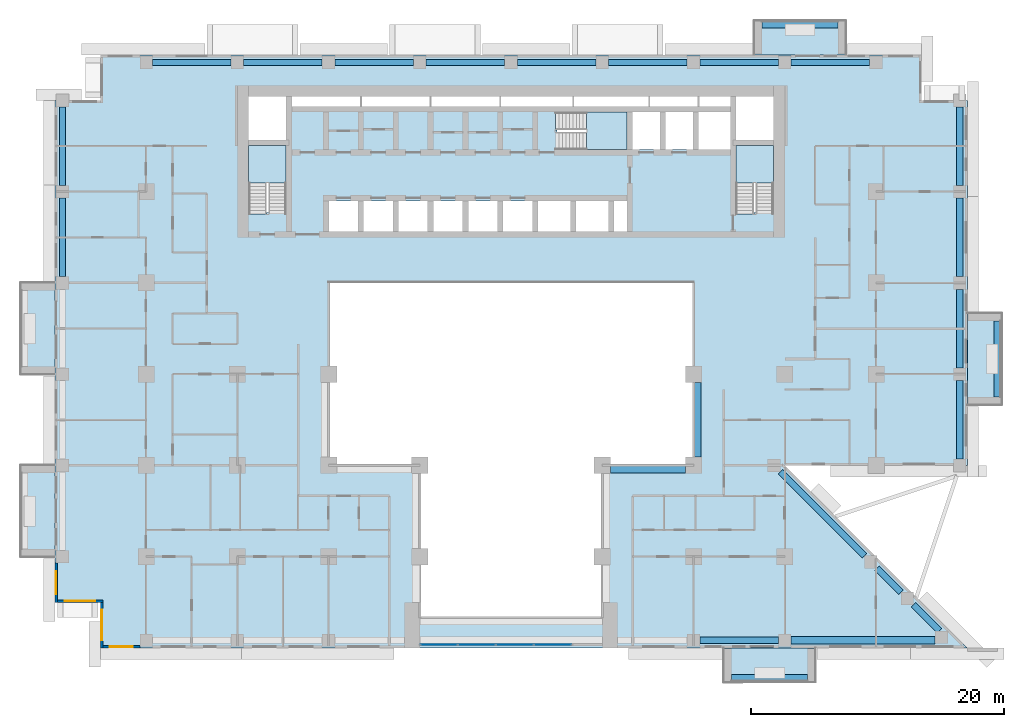
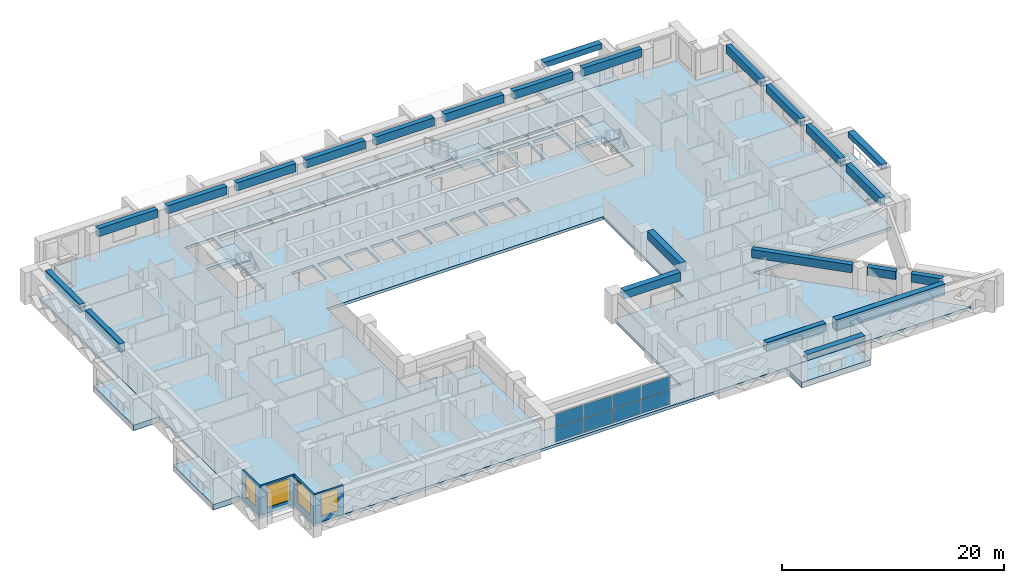
# One storey, part 5 of 16: 24 beams, 9 slabs, 8 plates, 4 walls, 4 windows, 4 openings, 4 elements without a shape of their own.
"""IFC4 building model written with IfcOpenShell, lengths in metres."""

from ifc_helpers import new_model, si_unit, direction, frame, frame_2d, origin, origin_2d, place, context, subcontext, project, spatial, polyline, rectangle, outline, extrude, source, transform, mapped, material, layer, layer_set, material_profile, profile_set, type_object, element, fill, aggregate, save


model = new_model("IFC4")

# Units and contexts
model_context = context("Model", 3, precision=1e-05, world=origin(), true_north=direction((0.0, 1.0)))
body_context = subcontext(model_context, "Body", "Model", "MODEL_VIEW")
ifc_project = project(units=[si_unit("LENGTHUNIT", "METRE"), si_unit("AREAUNIT", "SQUARE_METRE"), si_unit("VOLUMEUNIT", "CUBIC_METRE"), si_unit("PLANEANGLEUNIT", "RADIAN"), si_unit("MASSUNIT", "GRAM", prefix="KILO")], contexts=[model_context])

# Site, building, storey
site_placement = place(None, origin())
site = spatial("IfcSite", under=ifc_project, at=site_placement, CompositionType="ELEMENT")
building_placement = place(site_placement, origin())
building = spatial("IfcBuilding", under=site, at=building_placement, Name="Saffron Iwan Residences", CompositionType="ELEMENT")
storey_placement = place(building_placement, frame((0.0, 0.0, 90.0)))
storey = spatial("IfcBuildingStorey", under=building, at=storey_placement, Name="L23", CompositionType="ELEMENT", Elevation=90.0)

# Beams
ifc_material_1 = material(Name="Concrete C60/75", Category="concrete")
ifc_material_profile_1 = material_profile(ifc_material_1, rectangle(XDim=0.5, YDim=0.89990234375, at=origin_2d()), Name="RC 500x900")
ifc_profile_set_1 = profile_set([ifc_material_profile_1], Name="Concrete C60/75")
beam_type_1 = type_object("IfcBeamType", Name="SPANDREL BEAM RC 500x900 C60/75 TOP 3180", PredefinedType="SPANDREL", material=ifc_profile_set_1)
shared_shape_1 = source(origin(), body_context, "Body", "SweptSolid", [
    extrude(rectangle(XDim=0.5, YDim=0.89990234375, at=origin_2d()), origin(), (0.0, 0.0, 1.0), 6.199951171875),
])
for number, where, z_axis, x_axis, name in (
    (1, (71.5, 34.199951171875, 2.72998046875), (-1.0, 0.0, 0.0), (0.0, -1.0, 0.0), "Spandrel beam"),
    (2, (85.800048828125, 54.699951171875, 2.72998046875), (0.0, -1.0, 0.0), (1.0, 0.0, 0.0), "Spandrel beam"),
    (3, (85.800048828125, 61.89990234375, 2.72998046875), (0.0, -1.0, 0.0), (1.0, 0.0, 0.0), "Spandrel beam"),
    (4, (15.0, 70.10009765625, 2.72998046875), (0.0, 1.0, 0.0), (-1.0, 0.0, 0.0), "Spandrel beam"),
    (5, (85.800048828125, 76.300048828125, 2.72998046875), (0.0, -1.0, 0.0), (1.0, 0.0, 0.0), "Spandrel beam"),
    (6, (22.10009765625, 79.800048828125, 2.72998046875), (1.0, 0.0, 0.0), (0.0, 1.0, 0.0), "Spandrel beam"),
    (7, (29.300048828125, 79.800048828125, 2.72998046875), (1.0, 0.0, 0.0), (0.0, 1.0, 0.0), "Spandrel beam"),
    (8, (36.5, 79.800048828125, 2.72998046875), (1.0, 0.0, 0.0), (0.0, 1.0, 0.0), "Spandrel beam"),
    (9, (43.699951171875, 79.800048828125, 2.72998046875), (1.0, 0.0, 0.0), (0.0, 1.0, 0.0), "Spandrel beam"),
    (10, (58.10009765625, 79.800048828125, 2.72998046875), (1.0, 0.0, 0.0), (0.0, 1.0, 0.0), "Spandrel beam"),
    (11, (65.300048828125, 79.800048828125, 2.72998046875), (1.0, 0.0, 0.0), (0.0, 1.0, 0.0), "Spandrel beam"),
    (12, (72.5, 79.800048828125, 2.72998046875), (1.0, 0.0, 0.0), (0.0, 1.0, 0.0), "Spandrel beam"),
):
    element("IfcBeam", number, at=place(storey_placement, frame(where, z_axis=z_axis, x_axis=x_axis)), inside=storey, type_object=beam_type_1, Name=name, PredefinedType="SPANDREL", context=body_context, shape_type="MappedRepresentation", body=[
        mapped(shared_shape_1, transform((0.0, 0.0, 0.0))),
    ])
shared_shape_2 = source(origin(), body_context, "Body", "SweptSolid", [
    extrude(rectangle(XDim=0.5, YDim=0.89990234375, at=origin_2d()), origin(), (0.0, 0.0, 1.0), 2.90478515625),
])
beam_1_placement = place(storey_placement, frame((82.15576171875, 36.995849609375, 2.72998046875), z_axis=(0.707106781187, -0.707106781187, 0.0), x_axis=(0.707106781187, 0.707106781187, 0.0)))
element("IfcBeam", 13, at=beam_1_placement, inside=storey, type_object=beam_type_1, Name="Spandrel beam", PredefinedType="SPANDREL", context=body_context, shape_type="MappedRepresentation", body=[
    mapped(shared_shape_2, transform((0.0, 0.0, 0.0))),
])
shared_shape_3 = source(origin(), body_context, "Body", "SweptSolid", [
    extrude(rectangle(XDim=0.5, YDim=0.89990234375, at=origin_2d()), origin(), (0.0, 0.0, 1.0), 2.658935546875),
])
beam_2_placement = place(storey_placement, frame((79.275634765625, 39.875732421875, 2.72998046875), z_axis=(0.707106781187, -0.707106781187, 0.0), x_axis=(0.707106781187, 0.707106781187, 0.0)))
element("IfcBeam", 14, at=beam_2_placement, inside=storey, type_object=beam_type_1, Name="Spandrel beam", PredefinedType="SPANDREL", context=body_context, shape_type="MappedRepresentation", body=[
    mapped(shared_shape_3, transform((0.0, 0.0, 0.0))),
])
shared_shape_4 = source(origin(), body_context, "Body", "SweptSolid", [
    extrude(rectangle(XDim=0.5, YDim=0.89990234375, at=origin_2d()), origin(), (0.0, 0.0, 1.0), 9.370361328125),
])
beam_3_placement = place(storey_placement, frame((71.64990234375, 47.50146484375, 2.72998046875), z_axis=(0.707119808329, -0.707093753804, 0.0), x_axis=(0.707093753804, 0.707119808329, 0.0)))
element("IfcBeam", 15, at=beam_3_placement, inside=storey, type_object=beam_type_1, Name="Spandrel beam", PredefinedType="SPANDREL", context=body_context, shape_type="MappedRepresentation", body=[
    mapped(shared_shape_4, transform((0.0, 0.0, 0.0))),
])
shared_shape_5 = source(origin(), body_context, "Body", "SweptSolid", [
    extrude(rectangle(XDim=0.5, YDim=0.89990234375, at=origin_2d()), origin(), (0.0, 0.0, 1.0), 6.2001953125),
])
for number, where, z_axis, x_axis, name in (
    (16, (15.0, 62.89990234375, 2.72998046875), (0.0, 1.0, 0.0), (-1.0, 0.0, 0.0), "Spandrel beam"),
    (17, (85.800048828125, 69.10009765625, 2.72998046875), (0.0, -1.0, 0.0), (1.0, 0.0, 0.0), "Spandrel beam"),
    (18, (50.89990234375, 79.800048828125, 2.72998046875), (1.0, 0.0, 0.0), (0.0, 1.0, 0.0), "Spandrel beam"),
):
    element("IfcBeam", number, at=place(storey_placement, frame(where, z_axis=z_axis, x_axis=x_axis)), inside=storey, type_object=beam_type_1, Name=name, PredefinedType="SPANDREL", context=body_context, shape_type="MappedRepresentation", body=[
        mapped(shared_shape_5, transform((0.0, 0.0, 0.0))),
    ])
ifc_material_profile_2 = material_profile(ifc_material_1, rectangle(XDim=0.60009765625, YDim=1.199951171875, at=origin_2d()), Name="RC 600x1200")
ifc_profile_set_2 = profile_set([ifc_material_profile_2], Name="Concrete C60/75")
beam_type_2 = type_object("IfcBeamType", Name="LINTEL BEAM RC 600x1200 C60/75 TOP 3180", PredefinedType="LINTEL", material=ifc_profile_set_2)
shared_shape_6 = source(origin(), body_context, "Body", "SweptSolid", [
    extrude(rectangle(XDim=0.60009765625, YDim=1.199951171875, at=origin_2d()), origin(), (0.0, 0.0, 1.0), 11.367431640625),
])
beam_4_placement = place(storey_placement, frame((83.867431640625, 34.199951171875, 2.580078125), z_axis=(-1.0, 0.0, 0.0), x_axis=(0.0, -1.0, 0.0)))
element("IfcBeam", 19, at=beam_4_placement, inside=storey, type_object=beam_type_2, Name="Lintel beam over the iwan", PredefinedType="LINTEL", context=body_context, shape_type="MappedRepresentation", body=[
    mapped(shared_shape_6, transform((0.0, 0.0, 0.0))),
])
ifc_material_profile_3 = material_profile(ifc_material_1, rectangle(XDim=0.60009765625, YDim=0.89990234375, at=origin_2d()), Name="RC 600x900")
ifc_profile_set_3 = profile_set([ifc_material_profile_3], Name="Concrete C60/75")
beam_type_3 = type_object("IfcBeamType", Name="BEAM RC 600x900 C60/75 TOP 3180", PredefinedType="BEAM", material=ifc_profile_set_3)
shared_shape_7 = source(origin(), body_context, "Body", "SweptSolid", [
    extrude(rectangle(XDim=0.60009765625, YDim=0.89990234375, at=origin_2d()), origin(), (0.0, 0.0, 1.0), 5.900146484375),
])
beam_5_placement = place(storey_placement, frame((65.10009765625, 54.550048828125, 2.72998046875), z_axis=(0.0, -1.0, 0.0), x_axis=(1.0, 0.0, 0.0)))
element("IfcBeam", 20, at=beam_5_placement, inside=storey, type_object=beam_type_3, Name="Atrium edge beam", PredefinedType="BEAM", context=body_context, shape_type="MappedRepresentation", body=[
    mapped(shared_shape_7, transform((0.0, 0.0, 0.0))),
])
shared_shape_8 = source(origin(), body_context, "Body", "SweptSolid", [
    extrude(rectangle(XDim=0.60009765625, YDim=0.89990234375, at=origin_2d()), origin(), (0.0, 0.0, 1.0), 5.89990234375),
])
beam_6_placement = place(storey_placement, frame((64.14990234375, 47.699951171875, 2.72998046875), z_axis=(-1.0, 0.0, 0.0), x_axis=(0.0, -1.0, 0.0)))
element("IfcBeam", 21, at=beam_6_placement, inside=storey, type_object=beam_type_3, Name="Atrium edge beam", PredefinedType="BEAM", context=body_context, shape_type="MappedRepresentation", body=[
    mapped(shared_shape_8, transform((0.0, 0.0, 0.0))),
])
ifc_material_2 = material(Name="Concrete C50/60 white painted", Category="concrete")
ifc_material_profile_4 = material_profile(ifc_material_2, rectangle(XDim=0.60009765625, YDim=0.60009765625, at=origin_2d()), Name="BALCONY FASCIA BEAM 600 x 600")
ifc_profile_set_4 = profile_set([ifc_material_profile_4], Name="Concrete C50/60 white painted")
beam_type_4 = type_object("IfcBeamType", Name="BALCONY FASCIA BEAM 600 x 600", PredefinedType="BEAM", material=ifc_profile_set_4)
shared_shape_9 = source(origin(), body_context, "Body", "SweptSolid", [
    extrude(rectangle(XDim=0.60009765625, YDim=0.60009765625, at=origin_2d()), origin(), (0.0, 0.0, 1.0), 6.0),
])
for number, where, z_axis, x_axis, name in (
    (22, (88.800048828125, 53.39990234375, 2.550048828125), (0.0, 1.0, 0.0), (-1.0, 0.0, 0.0), "Balcony fascia beam L23 F2-0"),
    (23, (76.199951171875, 82.800048828125, 2.550048828125), (-1.0, 0.0, 0.0), (0.0, -1.0, 0.0), "Balcony fascia beam L23 F5-0"),
    (24, (67.800048828125, 31.199951171875, 2.550048828125), (1.0, 0.0, 0.0), (0.0, 1.0, 0.0), "Balcony fascia beam L23 11-1"),
):
    element("IfcBeam", number, at=place(storey_placement, frame(where, z_axis=z_axis, x_axis=x_axis)), inside=storey, type_object=beam_type_4, Name=name, PredefinedType="BEAM", context=body_context, shape_type="MappedRepresentation", body=[
        mapped(shared_shape_9, transform((0.0, 0.0, 0.0))),
    ])

# Slabs
ifc_layer_1 = layer(ifc_material_2, 0.60009765625)
ifc_layer_set_1 = layer_set([ifc_layer_1], Name="Concrete C50/60 white painted")
slab_type_1 = type_object("IfcSlabType", Name="BALCONY FRAME SLAB 600", PredefinedType="FLOOR", material=ifc_layer_set_1)
slab_1_placement = place(storey_placement, frame((0.0, 0.0, -0.60009765625)))
element("IfcSlab", 25, at=slab_1_placement, inside=storey, type_object=slab_type_1, Name="Balcony frame slab L23 F2-0", PredefinedType="FLOOR", context=body_context, shape_type="SweptSolid", body=[
    extrude(outline(polyline([(89.10009765625, 52.800048828125), (89.10009765625, 60.0), (86.39990234375, 60.0), (86.39990234375, 52.800048828125), (89.10009765625, 52.800048828125)])), origin(), (0.0, 0.0, 1.0), 0.60009765625),
])
slab_2_placement = place(storey_placement, frame((0.0, 0.0, -0.60009765625)))
element("IfcSlab", 26, at=slab_2_placement, inside=storey, type_object=slab_type_1, Name="Balcony frame slab L23 F5-0", PredefinedType="FLOOR", context=body_context, shape_type="SweptSolid", body=[
    extrude(outline(polyline([(76.800048828125, 83.10009765625), (69.60009765625, 83.10009765625), (69.60009765625, 80.39990234375), (76.800048828125, 80.39990234375), (76.800048828125, 83.10009765625)])), origin(), (0.0, 0.0, 1.0), 0.60009765625),
])
slab_3_placement = place(storey_placement, frame((0.0, 0.0, -0.60009765625)))
element("IfcSlab", 27, at=slab_3_placement, inside=storey, type_object=slab_type_1, Name="Balcony frame slab L23 F8-0", PredefinedType="FLOOR", context=body_context, shape_type="SweptSolid", body=[
    extrude(outline(polyline([(11.699951171875, 62.39990234375), (11.699951171875, 55.199951171875), (14.39990234375, 55.199951171875), (14.39990234375, 62.39990234375), (11.699951171875, 62.39990234375)])), origin(), (0.0, 0.0, 1.0), 0.60009765625),
])
slab_4_placement = place(storey_placement, frame((0.0, 0.0, -0.60009765625)))
element("IfcSlab", 28, at=slab_4_placement, inside=storey, type_object=slab_type_1, Name="Balcony frame slab L23 F8-1", PredefinedType="FLOOR", context=body_context, shape_type="SweptSolid", body=[
    extrude(outline(polyline([(11.699951171875, 48.0), (11.699951171875, 40.800048828125), (14.39990234375, 40.800048828125), (14.39990234375, 48.0), (11.699951171875, 48.0)])), origin(), (0.0, 0.0, 1.0), 0.60009765625),
])
slab_5_placement = place(storey_placement, frame((0.0, 0.0, -0.60009765625)))
element("IfcSlab", 29, at=slab_5_placement, inside=storey, type_object=slab_type_1, Name="Balcony frame slab L23 11-1", PredefinedType="FLOOR", context=body_context, shape_type="SweptSolid", body=[
    extrude(outline(polyline([(67.199951171875, 30.89990234375), (74.39990234375, 30.89990234375), (74.39990234375, 33.60009765625), (67.199951171875, 33.60009765625), (67.199951171875, 30.89990234375)])), origin(), (0.0, 0.0, 1.0), 0.60009765625),
])
ifc_material_3 = material(Name="Concrete C40/50", Category="concrete")
ifc_layer_2 = layer(ifc_material_3, 0.320068359375)
ifc_layer_set_2 = layer_set([ifc_layer_2], Name="Concrete C40/50")
slab_type_2 = type_object("IfcSlabType", Name="PT PLATE 320 C40/50", PredefinedType="FLOOR", material=ifc_layer_set_2)
slab_6_placement = place(storey_placement, frame((0.0, 0.0, -0.320068359375)))
element("IfcSlab", 30, at=slab_6_placement, inside=storey, type_object=slab_type_2, Name="Floor slab L23", PredefinedType="FLOOR", context=body_context, shape_type="SweptSolid", body=[
    extrude(outline(polyline([(14.39990234375, 37.199951171875), (14.39990234375, 76.800048828125), (18.0, 76.800048828125), (18.0, 80.39990234375), (82.800048828125, 80.39990234375), (82.800048828125, 76.800048828125), (86.39990234375, 76.800048828125), (86.39990234375, 48.0), (72.0, 48.0), (86.39990234375, 33.60009765625), (18.0, 33.60009765625), (18.0, 37.199951171875), (14.39990234375, 37.199951171875)]), holes=[polyline([(64.800048828125, 48.0), (64.800048828125, 62.39990234375), (36.0, 62.39990234375), (36.0, 48.0), (43.199951171875, 48.0), (43.199951171875, 36.0), (57.60009765625, 36.0), (57.60009765625, 48.0), (64.800048828125, 48.0)]), polyline([(38.324951171875, 68.875), (36.02490234375, 68.875), (36.02490234375, 66.449951171875), (38.324951171875, 66.449951171875), (38.324951171875, 68.875)]), polyline([(41.074951171875, 66.449951171875), (41.074951171875, 68.875), (38.77490234375, 68.875), (38.77490234375, 66.449951171875), (41.074951171875, 66.449951171875)]), polyline([(43.824951171875, 66.449951171875), (43.824951171875, 68.875), (41.52490234375, 68.875), (41.52490234375, 66.449951171875), (43.824951171875, 66.449951171875)]), polyline([(46.574951171875, 68.875), (44.27490234375, 68.875), (44.27490234375, 66.449951171875), (46.574951171875, 66.449951171875), (46.574951171875, 68.875)]), polyline([(49.324951171875, 66.449951171875), (49.324951171875, 68.875), (47.02490234375, 68.875), (47.02490234375, 66.449951171875), (49.324951171875, 66.449951171875)]), polyline([(52.074951171875, 66.449951171875), (52.074951171875, 68.875), (49.77490234375, 68.875), (49.77490234375, 66.449951171875), (52.074951171875, 66.449951171875)]), polyline([(29.699951171875, 73.25), (29.699951171875, 67.949951171875), (29.699951171875, 67.8505859375), (31.10009765625, 67.8505859375), (31.10009765625, 67.949951171875), (32.64990234375, 67.949951171875), (32.64990234375, 73.25), (29.699951171875, 73.25)]), polyline([(32.64990234375, 73.699951171875), (32.64990234375, 77.10009765625), (29.699951171875, 77.10009765625), (29.699951171875, 73.699951171875), (32.64990234375, 73.699951171875)]), polyline([(38.5, 76.324951171875), (38.5, 77.10009765625), (33.10009765625, 77.10009765625), (33.10009765625, 76.324951171875), (38.5, 76.324951171875)]), polyline([(44.0, 77.10009765625), (38.60009765625, 77.10009765625), (38.60009765625, 76.324951171875), (44.0, 76.324951171875), (44.0, 77.10009765625)]), polyline([(49.5, 76.324951171875), (49.5, 77.10009765625), (44.10009765625, 77.10009765625), (44.10009765625, 76.324951171875), (49.5, 76.324951171875)]), polyline([(55.25, 76.324951171875), (55.25, 77.10009765625), (49.60009765625, 77.10009765625), (49.60009765625, 76.324951171875), (55.25, 76.324951171875)]), polyline([(55.074951171875, 68.875), (52.52490234375, 68.875), (52.52490234375, 66.449951171875), (55.074951171875, 66.449951171875), (55.074951171875, 68.875)]), polyline([(58.074951171875, 66.449951171875), (58.074951171875, 68.875), (55.52490234375, 68.875), (55.52490234375, 66.449951171875), (58.074951171875, 66.449951171875)]), polyline([(59.550048828125, 66.449951171875), (59.550048828125, 68.875), (58.52490234375, 68.875), (58.52490234375, 66.449951171875), (59.550048828125, 66.449951171875)]), polyline([(68.14990234375, 73.25), (68.14990234375, 67.949951171875), (68.14990234375, 67.8505859375), (69.550048828125, 67.8505859375), (69.550048828125, 67.949951171875), (71.10009765625, 67.949951171875), (71.10009765625, 73.25), (68.14990234375, 73.25)]), polyline([(53.925537109375, 74.47509765625), (54.02490234375, 74.47509765625), (54.02490234375, 72.925048828125), (59.550048828125, 72.925048828125), (59.550048828125, 75.875), (54.02490234375, 75.875), (53.925537109375, 75.875), (53.925537109375, 74.47509765625)]), polyline([(62.14990234375, 72.925048828125), (62.14990234375, 75.875), (60.0, 75.875), (60.0, 72.925048828125), (62.14990234375, 72.925048828125)]), polyline([(64.75, 75.875), (62.60009765625, 75.875), (62.60009765625, 72.925048828125), (64.75, 72.925048828125), (64.75, 75.875)]), polyline([(67.699951171875, 72.925048828125), (67.699951171875, 75.875), (65.199951171875, 75.875), (65.199951171875, 72.925048828125), (67.699951171875, 72.925048828125)]), polyline([(71.10009765625, 73.699951171875), (71.10009765625, 77.10009765625), (68.14990234375, 77.10009765625), (68.14990234375, 73.699951171875), (71.10009765625, 73.699951171875)]), polyline([(61.25, 77.10009765625), (55.35009765625, 77.10009765625), (55.35009765625, 76.324951171875), (61.25, 76.324951171875), (61.25, 77.10009765625)]), polyline([(65.14990234375, 76.324951171875), (65.14990234375, 77.10009765625), (61.35009765625, 77.10009765625), (61.35009765625, 76.324951171875), (65.14990234375, 76.324951171875)]), polyline([(67.699951171875, 76.324951171875), (67.699951171875, 77.10009765625), (65.25, 77.10009765625), (65.25, 76.324951171875), (67.699951171875, 76.324951171875)])]), origin(), (0.0, 0.0, 1.0), 0.320068359375),
])

# Stair, slab
ifc_material_4 = material(Name="Concrete C50/60", Category="concrete")
stair_type = type_object("IfcStairType", Name="Stair ST-CORE", PredefinedType="HALF_TURN_STAIR", material=ifc_material_4)
stair_1_placement = place(storey_placement, origin())
stair_1 = element("IfcStair", 31, at=stair_1_placement, inside=storey, type_object=stair_type, Name="L23 Exit Stair ST-W", PredefinedType="HALF_TURN_STAIR")
ifc_layer_3 = layer(ifc_material_4, 0.199951171875)
ifc_layer_set_3 = layer_set([ifc_layer_3], Name="Concrete C50/60")
slab_type_3 = type_object("IfcSlabType", Name="Stair landing SL-RC", PredefinedType="LANDING", material=ifc_layer_set_3)
slab_7_placement = place(storey_placement, frame((0.0, 0.0, 1.5498046875)))
slab_7 = element("IfcSlab", 32, at=slab_7_placement, type_object=slab_type_3, Name="ST-W landing 1", PredefinedType="LANDING", context=body_context, shape_type="SweptSolid", body=[
    extrude(outline(polyline([(32.64990234375, 70.280029296875), (32.64990234375, 73.25), (29.699951171875, 73.25), (29.699951171875, 70.280029296875), (32.64990234375, 70.280029296875)])), origin(), (0.0, 0.0, 1.0), 0.2001953125),
])
aggregate(stair_1, [slab_7])

stair_2_placement = place(storey_placement, origin())
stair_2 = element("IfcStair", 33, at=stair_2_placement, inside=storey, type_object=stair_type, Name="L23 Exit Stair ST-C", PredefinedType="HALF_TURN_STAIR")
slab_8_placement = place(storey_placement, frame((0.0, 0.0, 1.5498046875)))
slab_8 = element("IfcSlab", 34, at=slab_8_placement, type_object=slab_type_3, Name="ST-C landing 1", PredefinedType="LANDING", context=body_context, shape_type="SweptSolid", body=[
    extrude(outline(polyline([(56.35498046875, 72.925048828125), (59.550048828125, 72.925048828125), (59.550048828125, 75.875), (56.35498046875, 75.875), (56.35498046875, 72.925048828125)])), origin(), (0.0, 0.0, 1.0), 0.2001953125),
])
aggregate(stair_2, [slab_8])

stair_3_placement = place(storey_placement, origin())
stair_3 = element("IfcStair", 35, at=stair_3_placement, inside=storey, type_object=stair_type, Name="L23 Exit Stair ST-E", PredefinedType="HALF_TURN_STAIR")
slab_9_placement = place(storey_placement, frame((0.0, 0.0, 1.5498046875)))
slab_9 = element("IfcSlab", 36, at=slab_9_placement, type_object=slab_type_3, Name="ST-E landing 1", PredefinedType="LANDING", context=body_context, shape_type="SweptSolid", body=[
    extrude(outline(polyline([(71.10009765625, 70.280029296875), (71.10009765625, 73.25), (68.14990234375, 73.25), (68.14990234375, 70.280029296875), (71.10009765625, 70.280029296875)])), origin(), (0.0, 0.0, 1.0), 0.2001953125),
])
aggregate(stair_3, [slab_9])

# Curtain wall, plates
ifc_material_5 = material(Name="Clear glass, laminated double glazed", Category="glass")
ifc_layer_4 = layer(ifc_material_5, 0.199951171875)
ifc_layer_set_4 = layer_set([ifc_layer_4], Name="Clear glass, laminated double glazed")
curtain_wall_type = type_object("IfcCurtainWallType", Name="CW-B IWAN PORTAL", PredefinedType="NOTDEFINED", material=ifc_layer_set_4)
curtain_wall_placement = place(storey_placement, origin())
curtain_wall = element("IfcCurtainWall", 37, at=curtain_wall_placement, inside=storey, type_object=curtain_wall_type, Name="Iwan portal glazing L23.1", PredefinedType="NOTDEFINED")
ifc_layer_5 = layer(ifc_material_5, 0.028076171875)
ifc_layer_set_5 = layer_set([ifc_layer_5], Name="Clear glass, laminated double glazed")
plate_type = type_object("IfcPlateType", Name="CW-B PANEL 28", PredefinedType="CURTAIN_PANEL", material=ifc_layer_set_5)
shared_shape_10 = source(origin(), body_context, "Body", "SweptSolid", [
    extrude(rectangle(XDim=2.909912109375, YDim=0.028076171875, at=origin_2d()), origin(), (0.0, 0.0, 1.0), 1.5),
])
plate_1_placement = place(storey_placement, frame((44.715087890625, 33.85009765625, 0.06005859375), z_axis=(0.0, 0.0, 1.0), x_axis=(1.0, 0.0, 0.0)))
plate_1 = element("IfcPlate", 38, at=plate_1_placement, type_object=plate_type, Name="CW-B panel 1.1", PredefinedType="CURTAIN_PANEL", context=body_context, shape_type="MappedRepresentation", body=[
    mapped(shared_shape_10, transform((0.0, 0.0, 0.0))),
])
plate_2_placement = place(storey_placement, frame((44.715087890625, 33.85009765625, 1.6201171875), z_axis=(0.0, 0.0, 1.0), x_axis=(1.0, 0.0, 0.0)))
plate_2 = element("IfcPlate", 39, at=plate_2_placement, type_object=plate_type, Name="CW-B panel 1.2", PredefinedType="CURTAIN_PANEL", context=body_context, shape_type="MappedRepresentation", body=[
    mapped(shared_shape_10, transform((0.0, 0.0, 0.0))),
])
plate_3_placement = place(storey_placement, frame((53.68505859375, 33.85009765625, 0.06005859375), z_axis=(0.0, 0.0, 1.0), x_axis=(1.0, 0.0, 0.0)))
plate_3 = element("IfcPlate", 40, at=plate_3_placement, type_object=plate_type, Name="CW-B panel 4.1", PredefinedType="CURTAIN_PANEL", context=body_context, shape_type="MappedRepresentation", body=[
    mapped(shared_shape_10, transform((0.0, 0.0, 0.0))),
])
plate_4_placement = place(storey_placement, frame((53.68505859375, 33.85009765625, 1.6201171875), z_axis=(0.0, 0.0, 1.0), x_axis=(1.0, 0.0, 0.0)))
plate_4 = element("IfcPlate", 41, at=plate_4_placement, type_object=plate_type, Name="CW-B panel 4.2", PredefinedType="CURTAIN_PANEL", context=body_context, shape_type="MappedRepresentation", body=[
    mapped(shared_shape_10, transform((0.0, 0.0, 0.0))),
])
shared_shape_11 = source(origin(), body_context, "Body", "SweptSolid", [
    extrude(rectangle(XDim=2.93994140625, YDim=0.028076171875, at=origin_2d()), origin(), (0.0, 0.0, 1.0), 1.5),
])
plate_5_placement = place(storey_placement, frame((47.699951171875, 33.85009765625, 0.06005859375), z_axis=(0.0, 0.0, 1.0), x_axis=(1.0, 0.0, 0.0)))
plate_5 = element("IfcPlate", 42, at=plate_5_placement, type_object=plate_type, Name="CW-B panel 2.1", PredefinedType="CURTAIN_PANEL", context=body_context, shape_type="MappedRepresentation", body=[
    mapped(shared_shape_11, transform((0.0, 0.0, 0.0))),
])
plate_6_placement = place(storey_placement, frame((47.699951171875, 33.85009765625, 1.6201171875), z_axis=(0.0, 0.0, 1.0), x_axis=(1.0, 0.0, 0.0)))
plate_6 = element("IfcPlate", 43, at=plate_6_placement, type_object=plate_type, Name="CW-B panel 2.2", PredefinedType="CURTAIN_PANEL", context=body_context, shape_type="MappedRepresentation", body=[
    mapped(shared_shape_11, transform((0.0, 0.0, 0.0))),
])
plate_7_placement = place(storey_placement, frame((50.699951171875, 33.85009765625, 0.06005859375), z_axis=(0.0, 0.0, 1.0), x_axis=(1.0, 0.0, 0.0)))
plate_7 = element("IfcPlate", 44, at=plate_7_placement, type_object=plate_type, Name="CW-B panel 3.1", PredefinedType="CURTAIN_PANEL", context=body_context, shape_type="MappedRepresentation", body=[
    mapped(shared_shape_11, transform((0.0, 0.0, 0.0))),
])
plate_8_placement = place(storey_placement, frame((50.699951171875, 33.85009765625, 1.6201171875), z_axis=(0.0, 0.0, 1.0), x_axis=(1.0, 0.0, 0.0)))
plate_8 = element("IfcPlate", 45, at=plate_8_placement, type_object=plate_type, Name="CW-B panel 3.2", PredefinedType="CURTAIN_PANEL", context=body_context, shape_type="MappedRepresentation", body=[
    mapped(shared_shape_11, transform((0.0, 0.0, 0.0))),
])
aggregate(curtain_wall, [plate_1, plate_2, plate_5, plate_6, plate_7, plate_8, plate_3, plate_4])

# Wall, opening, window
ifc_layer_6 = layer(ifc_material_3, 0.199951171875)
ifc_layer_set_6 = layer_set([ifc_layer_6], Name="Concrete C40/50")
wall_type = type_object("IfcWallType", Name="EXTERNAL WALL 200", PredefinedType="SOLIDWALL", material=ifc_layer_set_6)
wall_1_placement = place(storey_placement, frame((14.5, 40.300048828125, 0.0), z_axis=(0.0, 0.0, 1.0), x_axis=(0.0, -1.0, 0.0)))
wall_1 = element("IfcWall", 46, at=wall_1_placement, inside=storey, type_object=wall_type, Name="External wall L23 F8.5", PredefinedType="SOLIDWALL", context=body_context, shape_type="SweptSolid", body=[
    extrude(rectangle(XDim=3.10009765625, YDim=0.199951171875, at=frame_2d((1.550048828125, 0.0))), origin(), (0.0, 0.0, 1.0), 3.179931640625),
])
opening_1_placement = place(wall_1_placement, frame((0.64990234375, 0.0, 0.60009765625)))
opening_1 = element("IfcOpeningElement", 47, at=opening_1_placement, cuts=wall_1, Name="Opening W8", PredefinedType="OPENING", context=body_context, shape_type="SweptSolid", body=[
    extrude(rectangle(XDim=1.800048828125, YDim=2.39990234375, at=frame_2d((0.89990234375, 1.199951171875))), frame((0.0, 0.10986328125, 0.0), z_axis=(0.0, -1.0, 0.0), x_axis=(1.0, 0.0, 0.0)), (0.0, 0.0, 1.0), 0.219970703125),
])
window_type_1 = type_object("IfcWindowType", Name="WINDOW 1800 x 2400", PartitioningType="DOUBLE_PANEL_VERTICAL", PredefinedType="WINDOW", material=ifc_material_5)
window_1_placement = place(opening_1_placement, origin())
window_1 = element("IfcWindow", 48, at=window_1_placement, inside=storey, type_object=window_type_1, Name="Window L23 F8.0", OverallHeight=2.39990234375, OverallWidth=1.800048828125, PartitioningType="DOUBLE_PANEL_VERTICAL", PredefinedType="WINDOW", context=body_context, shape_type="SweptSolid", body=[
    extrude(rectangle(XDim=1.800048828125, YDim=2.39990234375, at=frame_2d((0.89990234375, 1.199951171875))), frame((0.0, 0.030029296875, 0.0), z_axis=(0.0, -1.0, 0.0), x_axis=(1.0, 0.0, 0.0)), (0.0, 0.0, 1.0), 0.06005859375),
])
fill(opening_1, window_1)

wall_2_placement = place(storey_placement, frame((14.60009765625, 37.300048828125, 0.0), z_axis=(0.0, 0.0, 1.0), x_axis=(1.0, 0.0, 0.0)))
wall_2 = element("IfcWall", 49, at=wall_2_placement, inside=storey, type_object=wall_type, Name="External wall L23 F9.0", PredefinedType="SOLIDWALL", context=body_context, shape_type="SweptSolid", body=[
    extrude(rectangle(XDim=3.599853515625, YDim=0.199951171875, at=frame_2d((1.7998046875, 0.0))), origin(), (0.0, 0.0, 1.0), 3.179931640625),
])
opening_2_placement = place(wall_2_placement, frame((0.60009765625, 0.0, 0.60009765625)))
opening_2 = element("IfcOpeningElement", 50, at=opening_2_placement, cuts=wall_2, Name="Opening W1", PredefinedType="OPENING", context=body_context, shape_type="SweptSolid", body=[
    extrude(rectangle(XDim=2.39990234375, YDim=2.39990234375, at=frame_2d((1.199951171875, 1.199951171875))), frame((0.0, 0.10986328125, 0.0), z_axis=(0.0, -1.0, 0.0), x_axis=(1.0, 0.0, 0.0)), (0.0, 0.0, 1.0), 0.219970703125),
])
window_type_2 = type_object("IfcWindowType", Name="WINDOW 2400 x 2400", PartitioningType="DOUBLE_PANEL_VERTICAL", PredefinedType="WINDOW", material=ifc_material_5)
window_2_placement = place(opening_2_placement, origin())
window_2 = element("IfcWindow", 51, at=window_2_placement, inside=storey, type_object=window_type_2, Name="Window L23 F9.0", OverallHeight=2.39990234375, OverallWidth=2.39990234375, PartitioningType="DOUBLE_PANEL_VERTICAL", PredefinedType="WINDOW", context=body_context, shape_type="SweptSolid", body=[
    extrude(rectangle(XDim=2.39990234375, YDim=2.39990234375, at=frame_2d((1.199951171875, 1.199951171875))), frame((0.0, 0.030029296875, 0.0), z_axis=(0.0, -1.0, 0.0), x_axis=(1.0, 0.0, 0.0)), (0.0, 0.0, 1.0), 0.06005859375),
])
fill(opening_2, window_2)

wall_3_placement = place(storey_placement, frame((18.10009765625, 37.199951171875, 0.0), z_axis=(0.0, 0.0, 1.0), x_axis=(0.0, -1.0, 0.0)))
wall_3 = element("IfcWall", 52, at=wall_3_placement, inside=storey, type_object=wall_type, Name="External wall L23 F10.0", PredefinedType="SOLIDWALL", context=body_context, shape_type="SweptSolid", body=[
    extrude(rectangle(XDim=3.599853515625, YDim=0.199951171875, at=frame_2d((1.7998046875, 0.0))), origin(), (0.0, 0.0, 1.0), 3.179931640625),
])
opening_3_placement = place(wall_3_placement, frame((0.60009765625, 0.0, 0.60009765625)))
opening_3 = element("IfcOpeningElement", 53, at=opening_3_placement, cuts=wall_3, Name="Opening W1", PredefinedType="OPENING", context=body_context, shape_type="SweptSolid", body=[
    extrude(rectangle(XDim=2.39990234375, YDim=2.39990234375, at=frame_2d((1.199951171875, 1.199951171875))), frame((0.0, 0.10986328125, 0.0), z_axis=(0.0, -1.0, 0.0), x_axis=(1.0, 0.0, 0.0)), (0.0, 0.0, 1.0), 0.219970703125),
])
window_3_placement = place(opening_3_placement, origin())
window_3 = element("IfcWindow", 54, at=window_3_placement, inside=storey, type_object=window_type_2, Name="Window L23 F10.0", OverallHeight=2.39990234375, OverallWidth=2.39990234375, PartitioningType="DOUBLE_PANEL_VERTICAL", PredefinedType="WINDOW", context=body_context, shape_type="SweptSolid", body=[
    extrude(rectangle(XDim=2.39990234375, YDim=2.39990234375, at=frame_2d((1.199951171875, 1.199951171875))), frame((0.0, 0.030029296875, 0.0), z_axis=(0.0, -1.0, 0.0), x_axis=(1.0, 0.0, 0.0)), (0.0, 0.0, 1.0), 0.06005859375),
])
fill(opening_3, window_3)

wall_4_placement = place(storey_placement, frame((18.199951171875, 33.699951171875, 0.0), z_axis=(0.0, 0.0, 1.0), x_axis=(1.0, 0.0, 0.0)))
wall_4 = element("IfcWall", 55, at=wall_4_placement, inside=storey, type_object=wall_type, Name="External wall L23 F11.0", PredefinedType="SOLIDWALL", context=body_context, shape_type="SweptSolid", body=[
    extrude(rectangle(XDim=2.900146484375, YDim=0.199951171875, at=frame_2d((1.4501953125, 0.0))), origin(), (0.0, 0.0, 1.0), 3.179931640625),
])
opening_4_placement = place(wall_4_placement, frame((0.550048828125, 0.0, 0.60009765625)))
opening_4 = element("IfcOpeningElement", 56, at=opening_4_placement, cuts=wall_4, Name="Opening W8", PredefinedType="OPENING", context=body_context, shape_type="SweptSolid", body=[
    extrude(rectangle(XDim=1.800048828125, YDim=2.39990234375, at=frame_2d((0.89990234375, 1.199951171875))), frame((0.0, 0.10986328125, 0.0), z_axis=(0.0, -1.0, 0.0), x_axis=(1.0, 0.0, 0.0)), (0.0, 0.0, 1.0), 0.219970703125),
])
window_4_placement = place(opening_4_placement, origin())
window_4 = element("IfcWindow", 57, at=window_4_placement, inside=storey, type_object=window_type_1, Name="Window L23 F11.0", OverallHeight=2.39990234375, OverallWidth=1.800048828125, PartitioningType="DOUBLE_PANEL_VERTICAL", PredefinedType="WINDOW", context=body_context, shape_type="SweptSolid", body=[
    extrude(rectangle(XDim=1.800048828125, YDim=2.39990234375, at=frame_2d((0.89990234375, 1.199951171875))), frame((0.0, 0.030029296875, 0.0), z_axis=(0.0, -1.0, 0.0), x_axis=(1.0, 0.0, 0.0)), (0.0, 0.0, 1.0), 0.06005859375),
])
fill(opening_4, window_4)

save(model, "model.ifc")
